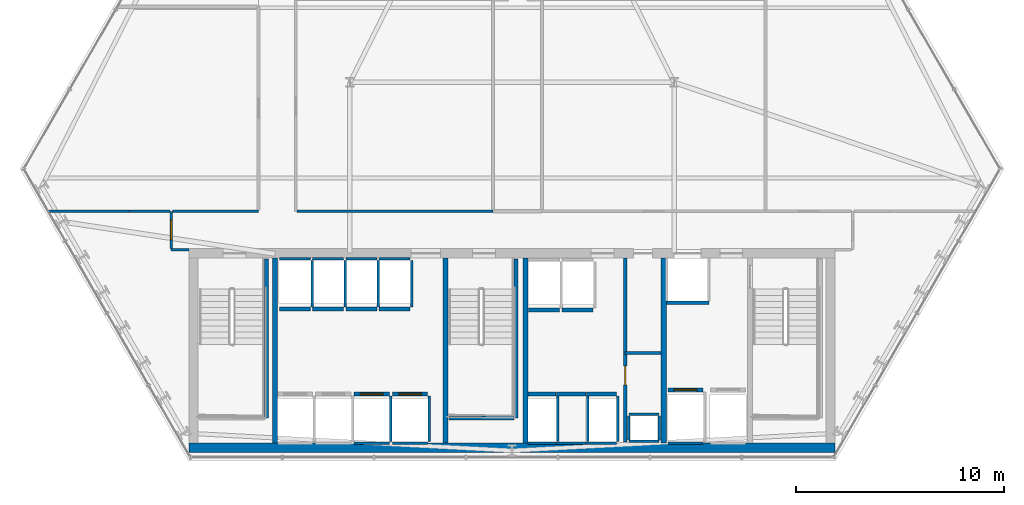
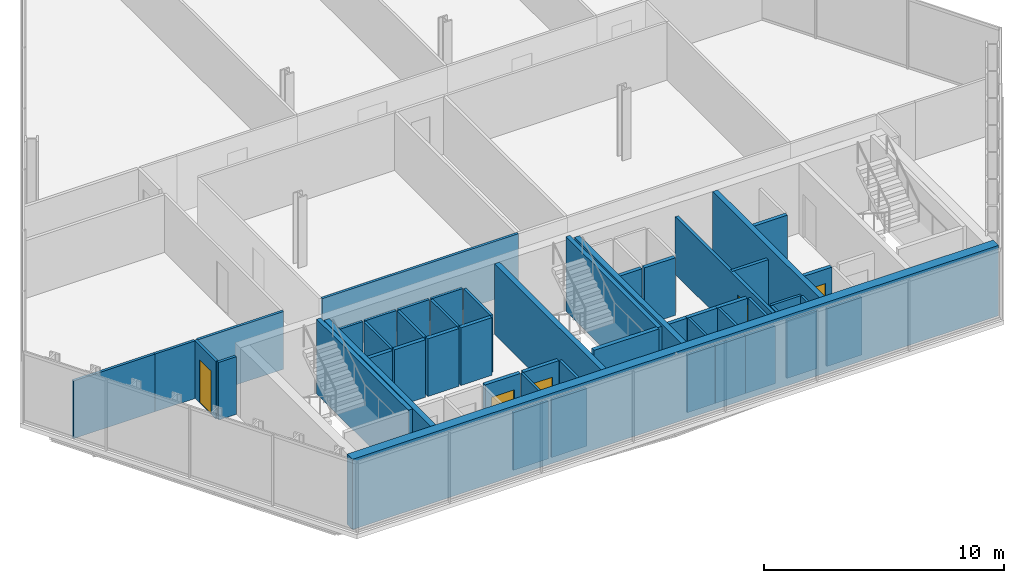
# One storey, part 27 of 32: 52 walls, 5 doors, 5 openings.
"""IFC4 building model written with IfcOpenShell, lengths in metres."""

from ifc_helpers import new_model, si_unit, direction, frame, frame_2d, origin, place, context, subcontext, project, spatial, rectangle, extrude, material, layer, layer_set, type_object, element, fill, save


model = new_model("IFC4")

# Units and contexts
model_context = context("Model", 3, precision=1e-05, world=origin(), true_north=direction((0.0, 1.0)))
body_context = subcontext(model_context, "Body", "Model", "MODEL_VIEW")
ifc_project = project(units=[si_unit("LENGTHUNIT", "METRE"), si_unit("AREAUNIT", "SQUARE_METRE"), si_unit("VOLUMEUNIT", "CUBIC_METRE"), si_unit("PLANEANGLEUNIT", "RADIAN"), si_unit("MASSUNIT", "GRAM", prefix="KILO")], contexts=[model_context])

# Site, building, storey
site_placement = place(None, origin())
site = spatial("IfcSite", under=ifc_project, at=site_placement, CompositionType="ELEMENT")
building_placement = place(site_placement, origin())
building = spatial("IfcBuilding", under=site, at=building_placement, Name="Ndaravel Arena Tower", CompositionType="ELEMENT")
storey_placement = place(building_placement, frame((0.0, 0.0, 51.199951171875)))
storey = spatial("IfcBuildingStorey", under=building, at=storey_placement, Name="L10", CompositionType="ELEMENT", Elevation=51.199951171875)

# Wall, opening, door
ifc_material_1 = material(Name="Gypsum", Category="gypsum")
ifc_layer_1 = layer(ifc_material_1, 0.14990234375)
ifc_layer_set_1 = layer_set([ifc_layer_1], Name="Gypsum")
wall_type_1 = type_object("IfcWallType", Name="WALL-COMP-150", PredefinedType="PARTITIONING", material=ifc_layer_set_1)
wall_1_placement = place(storey_placement, frame((47.449951171875, 5.89990234375, 0.0), z_axis=(0.0, 0.0, 1.0), x_axis=(0.0, 1.0, 0.0)))
wall_1 = element("IfcWall", 1, at=wall_1_placement, inside=storey, type_object=wall_type_1, Name="L10 Core Riser Bay Partition", PredefinedType="PARTITIONING", context=body_context, shape_type="SweptSolid", body=[
    extrude(rectangle(XDim=8.85009765625, YDim=0.14990234375, at=frame_2d((4.425048828125, 0.0))), origin(), (0.0, 0.0, 1.0), 2.932861328125),
])
opening_1_placement = place(wall_1_placement, frame((2.75, 0.0, 0.0)))
opening_1 = element("IfcOpeningElement", 2, at=opening_1_placement, cuts=wall_1, Name="Opening RD-01", PredefinedType="OPENING", context=body_context, shape_type="SweptSolid", body=[
    extrude(rectangle(XDim=0.89990234375, YDim=2.10009765625, at=frame_2d((0.449951171875, 1.050048828125))), frame((0.0, 0.074951171875, 0.0), z_axis=(0.0, -1.0, 0.0), x_axis=(1.0, 0.0, 0.0)), (0.0, 0.0, 1.0), 0.14990234375),
])
ifc_material_2 = material(Name="Steel S355", Category="steel")
door_type_1 = type_object("IfcDoorType", Name="DT-08-RISER-900", OperationType="SINGLE_SWING_LEFT", PredefinedType="DOOR", material=ifc_material_2)
door_1_placement = place(opening_1_placement, origin())
door_1 = element("IfcDoor", 3, at=door_1_placement, inside=storey, type_object=door_type_1, Name="L10 Electrical Riser Door", OperationType="SINGLE_SWING_RIGHT", OverallHeight=2.10009765625, OverallWidth=0.89990234375, PredefinedType="DOOR", context=body_context, shape_type="SweptSolid", body=[
    extrude(rectangle(XDim=0.89990234375, YDim=2.10009765625, at=frame_2d((0.449951171875, 1.050048828125))), frame((0.0, 0.02490234375, 0.0), z_axis=(0.0, -1.0, 0.0), x_axis=(1.0, 0.0, 0.0)), (0.0, 0.0, 1.0), 0.050048828125),
])
fill(opening_1, door_1)

# Walls
wall_2_placement = place(storey_placement, frame((47.449951171875, 10.179931640625, 0.0), z_axis=(0.0, 0.0, 1.0), x_axis=(1.0, 0.0, 0.0)))
element("IfcWall", 4, at=wall_2_placement, inside=storey, type_object=wall_type_1, Name="L10 Core Riser Divider 1", PredefinedType="PARTITIONING", context=body_context, shape_type="SweptSolid", body=[
    extrude(rectangle(XDim=1.72998046875, YDim=0.14990234375, at=frame_2d((0.864990234375, 0.0))), origin(), (0.0, 0.0, 1.0), 2.932861328125),
])
ifc_material_3 = material(Name="Concrete C60/75", Category="concrete")
ifc_layer_2 = layer(ifc_material_3, 0.25)
ifc_layer_set_2 = layer_set([ifc_layer_2], Name="Concrete C60/75")
wall_type_2 = type_object("IfcWallType", Name="WALL-CORE-250", PredefinedType="SOLIDWALL", material=ifc_layer_set_2)
for number, where, z_axis, x_axis, name in (
    (5, (30.60009765625, 5.85009765625, 0.0), (0.0, 0.0, 1.0), (0.0, 1.0, 0.0), "L10 Core Web Shear Wall 1"),
    (6, (38.800048828125, 5.85009765625, 0.0), (0.0, 0.0, 1.0), (0.0, 1.0, 0.0), "L10 Core Web Shear Wall 2"),
    (7, (42.64990234375, 5.85009765625, 0.0), (0.0, 0.0, 1.0), (0.0, 1.0, 0.0), "L10 Core Web Shear Wall 3"),
    (8, (49.300048828125, 5.85009765625, 0.0), (0.0, 0.0, 1.0), (0.0, 1.0, 0.0), "L10 Core Web Shear Wall 4"),
):
    element("IfcWall", number, at=place(storey_placement, frame(where, z_axis=z_axis, x_axis=x_axis)), inside=storey, type_object=wall_type_2, Name=name, PredefinedType="SOLIDWALL", context=body_context, shape_type="SweptSolid", body=[
        extrude(rectangle(XDim=8.89990234375, YDim=0.25, at=frame_2d((4.449951171875, 0.0))), origin(), (0.0, 0.0, 1.0), 3.580078125),
    ])
ifc_material_4 = material(Name="Concrete C60/75", Category="concrete")
ifc_layer_3 = layer(ifc_material_4, 0.449951171875)
ifc_layer_set_3 = layer_set([ifc_layer_3], Name="Concrete C60/75")
wall_type_3 = type_object("IfcWallType", Name="WALL-CORE-450", PredefinedType="SOLIDWALL", material=ifc_layer_set_3)
wall_3_placement = place(storey_placement, frame((26.449951171875, 5.625, 0.0), z_axis=(0.0, 0.0, 1.0), x_axis=(1.0, 0.0, 0.0)))
element("IfcWall", 9, at=wall_3_placement, inside=storey, type_object=wall_type_3, Name="L10 Core South Shear Wall", PredefinedType="SOLIDWALL", context=body_context, shape_type="SweptSolid", body=[
    extrude(rectangle(XDim=31.10009765625, YDim=0.449951171875, at=frame_2d((15.550048828125, 0.0))), origin(), (0.0, 0.0, 1.0), 3.580078125),
])
ifc_material_5 = material(Name="Gypsum", Category="gypsum")
ifc_layer_4 = layer(ifc_material_5, 0.125)
ifc_layer_set_4 = layer_set([ifc_layer_4], Name="Gypsum")
wall_type_4 = type_object("IfcWallType", Name="WALL-PART-125", PredefinedType="PARTITIONING", material=ifc_layer_set_4)
wall_4_placement = place(storey_placement, frame((26.449951171875, 15.14990234375, 0.0), z_axis=(0.0, 0.0, 1.0), x_axis=(-1.0, 0.0, 0.0)))
element("IfcWall", 10, at=wall_4_placement, inside=storey, type_object=wall_type_4, Name="L10 Interior Partition 003", PredefinedType="PARTITIONING", context=body_context, shape_type="SweptSolid", body=[
    extrude(rectangle(XDim=0.849853515625, YDim=0.125, at=frame_2d((0.4248046875, 0.0))), origin(), (0.0, 0.0, 1.0), 2.932861328125),
])

# Wall, opening, door
wall_5_placement = place(storey_placement, frame((25.60009765625, 15.215087890625, 0.0), z_axis=(0.0, 0.0, 1.0), x_axis=(0.0, 1.0, 0.0)))
wall_5 = element("IfcWall", 11, at=wall_5_placement, inside=storey, type_object=wall_type_4, Name="L10 Interior Partition 004", PredefinedType="PARTITIONING", context=body_context, shape_type="SweptSolid", body=[
    extrude(rectangle(XDim=1.784912109375, YDim=0.125, at=frame_2d((0.892578125, 0.0))), origin(), (0.0, 0.0, 1.0), 2.932861328125),
])
opening_2_placement = place(wall_5_placement, frame((0.41748046875, 0.0, 0.0)))
opening_2 = element("IfcOpeningElement", 12, at=opening_2_placement, cuts=wall_5, Name="Opening ID-01", PredefinedType="OPENING", context=body_context, shape_type="SweptSolid", body=[
    extrude(rectangle(XDim=0.949951171875, YDim=2.199951171875, at=frame_2d((0.47509765625, 1.10009765625))), frame((0.0, 0.0625, 0.0), z_axis=(0.0, -1.0, 0.0), x_axis=(1.0, 0.0, 0.0)), (0.0, 0.0, 1.0), 0.125),
])
ifc_material_6 = material(Name="Timber", Category="wood")
door_type_2 = type_object("IfcDoorType", Name="DT-03-OFFICE-950", OperationType="SINGLE_SWING_LEFT", PredefinedType="DOOR", material=ifc_material_6)
door_2_placement = place(opening_2_placement, origin())
door_2 = element("IfcDoor", 13, at=door_2_placement, inside=storey, type_object=door_type_2, Name="L10 Open Plan Workplace Door", OperationType="SINGLE_SWING_LEFT", OverallHeight=2.199951171875, OverallWidth=0.949951171875, PredefinedType="DOOR", context=body_context, shape_type="SweptSolid", body=[
    extrude(rectangle(XDim=0.949951171875, YDim=2.199951171875, at=frame_2d((0.47509765625, 1.10009765625))), frame((0.0, 0.02490234375, 0.0), z_axis=(0.0, -1.0, 0.0), x_axis=(1.0, 0.0, 0.0)), (0.0, 0.0, 1.0), 0.050048828125),
])
fill(opening_2, door_2)

# Walls
wall_6_placement = place(storey_placement, frame((25.6650390625, 17.0, 0.0), z_axis=(0.0, 0.0, 1.0), x_axis=(1.0, 0.0, 0.0)))
element("IfcWall", 14, at=wall_6_placement, inside=storey, type_object=wall_type_4, Name="L10 Interior Partition 005", PredefinedType="PARTITIONING", context=body_context, shape_type="SweptSolid", body=[
    extrude(rectangle(XDim=4.135009765625, YDim=0.125, at=frame_2d((2.0673828125, 0.0))), origin(), (0.0, 0.0, 1.0), 2.932861328125),
])
wall_7_placement = place(storey_placement, frame((31.6650390625, 17.0, 0.0), z_axis=(0.0, 0.0, 1.0), x_axis=(1.0, 0.0, 0.0)))
element("IfcWall", 15, at=wall_7_placement, inside=storey, type_object=wall_type_4, Name="L10 Interior Partition 018", PredefinedType="PARTITIONING", context=body_context, shape_type="SweptSolid", body=[
    extrude(rectangle(XDim=9.427001953125, YDim=0.125, at=frame_2d((4.71337890625, 0.0))), origin(), (0.0, 0.0, 1.0), 2.932861328125),
])
wall_8_placement = place(storey_placement, frame((19.684326171875, 17.0, 0.0), z_axis=(0.0, 0.0, 1.0), x_axis=(1.0, 0.0, 0.0)))
element("IfcWall", 16, at=wall_8_placement, inside=storey, type_object=wall_type_4, Name="L10 Interior Partition 022", PredefinedType="PARTITIONING", context=body_context, shape_type="SweptSolid", body=[
    extrude(rectangle(XDim=3.915771484375, YDim=0.125, at=frame_2d((1.9580078125, 0.0))), origin(), (0.0, 0.0, 1.0), 2.932861328125),
])
wall_9_placement = place(storey_placement, frame((23.60009765625, 17.0, 0.0), z_axis=(0.0, 0.0, 1.0), x_axis=(1.0, 0.0, 0.0)))
element("IfcWall", 17, at=wall_9_placement, inside=storey, type_object=wall_type_4, Name="L10 Interior Partition 023", PredefinedType="PARTITIONING", context=body_context, shape_type="SweptSolid", body=[
    extrude(rectangle(XDim=1.934814453125, YDim=0.125, at=frame_2d((0.96728515625, 0.0))), origin(), (0.0, 0.0, 1.0), 2.932861328125),
])
ifc_material_7 = material(Name="Concrete C40/50", Category="concrete")
ifc_layer_5 = layer(ifc_material_7, 0.1201171875)
ifc_layer_set_5 = layer_set([ifc_layer_5], Name="Concrete C40/50")
wall_type_5 = type_object("IfcWallType", Name="WALL-SHAFT-120", PredefinedType="SOLIDWALL", material=ifc_layer_set_5)
for number, where, z_axis, x_axis, name in (
    (18, (47.6201171875, 5.919921875, 0.0), (0.0, 0.0, 1.0), (1.0, 0.0, 0.0), "L10 MEP Riser Shaft S Wall"),
    (19, (47.6201171875, 7.219970703125, 0.0), (0.0, 0.0, 1.0), (1.0, 0.0, 0.0), "L10 MEP Riser Shaft N Wall"),
):
    element("IfcWall", number, at=place(storey_placement, frame(where, z_axis=z_axis, x_axis=x_axis)), inside=storey, type_object=wall_type_5, Name=name, PredefinedType="SOLIDWALL", context=body_context, shape_type="SweptSolid", body=[
        extrude(rectangle(XDim=1.4599609375, YDim=0.1201171875, at=frame_2d((0.72998046875, 0.0))), origin(), (0.0, 0.0, 1.0), 2.932861328125),
    ])
for number, where, z_axis, x_axis, name in (
    (20, (47.6201171875, 6.0, 0.0), (0.0, 0.0, 1.0), (0.0, 1.0, 0.0), "L10 MEP Riser Shaft W Wall"),
    (21, (49.080078125, 6.0, 0.0), (0.0, 0.0, 1.0), (0.0, 1.0, 0.0), "L10 MEP Riser Shaft E Wall"),
):
    element("IfcWall", number, at=place(storey_placement, frame(where, z_axis=z_axis, x_axis=x_axis)), inside=storey, type_object=wall_type_5, Name=name, PredefinedType="SOLIDWALL", context=body_context, shape_type="SweptSolid", body=[
        extrude(rectangle(XDim=1.139892578125, YDim=0.1201171875, at=frame_2d((0.56982421875, 0.0))), origin(), (0.0, 0.0, 1.0), 2.932861328125),
    ])
wall_10_placement = place(storey_placement, frame((34.405029296875, 5.840087890625, 0.0), z_axis=(0.0, 0.0, 1.0), x_axis=(1.0, 0.0, 0.0)))
element("IfcWall", 22, at=wall_10_placement, inside=storey, type_object=wall_type_5, Name="L10 PL-L3 Shaft Rear Wall", PredefinedType="SOLIDWALL", context=body_context, shape_type="SweptSolid", body=[
    extrude(rectangle(XDim=1.68994140625, YDim=0.1201171875, at=frame_2d((0.844970703125, 0.0))), origin(), (0.0, 0.0, 1.0), 2.932861328125),
])
wall_11_placement = place(storey_placement, frame((36.175048828125, 5.929931640625, 0.0), z_axis=(0.0, 0.0, 1.0), x_axis=(0.0, 1.0, 0.0)))
element("IfcWall", 23, at=wall_11_placement, inside=storey, type_object=wall_type_5, Name="L10 PL-L3 Shaft Side R Wall", PredefinedType="SOLIDWALL", context=body_context, shape_type="SweptSolid", body=[
    extrude(rectangle(XDim=2.18017578125, YDim=0.1201171875, at=frame_2d((1.090087890625, 0.0))), origin(), (0.0, 0.0, 1.0), 2.932861328125),
])
wall_12_placement = place(storey_placement, frame((36.2548828125, 5.840087890625, 0.0), z_axis=(0.0, 0.0, 1.0), x_axis=(1.0, 0.0, 0.0)))
element("IfcWall", 24, at=wall_12_placement, inside=storey, type_object=wall_type_5, Name="L10 PL-L4 Shaft Rear Wall", PredefinedType="SOLIDWALL", context=body_context, shape_type="SweptSolid", body=[
    extrude(rectangle(XDim=1.690185546875, YDim=0.1201171875, at=frame_2d((0.84521484375, 0.0))), origin(), (0.0, 0.0, 1.0), 2.932861328125),
])
wall_13_placement = place(storey_placement, frame((38.02490234375, 5.929931640625, 0.0), z_axis=(0.0, 0.0, 1.0), x_axis=(0.0, 1.0, 0.0)))
element("IfcWall", 25, at=wall_13_placement, inside=storey, type_object=wall_type_5, Name="L10 PL-L4 Shaft Side R Wall", PredefinedType="SOLIDWALL", context=body_context, shape_type="SweptSolid", body=[
    extrude(rectangle(XDim=2.18017578125, YDim=0.1201171875, at=frame_2d((1.090087890625, 0.0))), origin(), (0.0, 0.0, 1.0), 2.932861328125),
])
wall_14_placement = place(storey_placement, frame((30.804931640625, 14.7099609375, 0.0), z_axis=(0.0, 0.0, 1.0), x_axis=(1.0, 0.0, 0.0)))
element("IfcWall", 26, at=wall_14_placement, inside=storey, type_object=wall_type_5, Name="L10 PL-M1 Shaft Rear Wall", PredefinedType="SOLIDWALL", context=body_context, shape_type="SweptSolid", body=[
    extrude(rectangle(XDim=1.489990234375, YDim=0.1201171875, at=frame_2d((0.7451171875, 0.0))), origin(), (0.0, 0.0, 1.0), 2.932861328125),
])
wall_15_placement = place(storey_placement, frame((32.375, 12.389892578125, 0.0), z_axis=(0.0, 0.0, 1.0), x_axis=(0.0, 1.0, 0.0)))
element("IfcWall", 27, at=wall_15_placement, inside=storey, type_object=wall_type_5, Name="L10 PL-M1 Shaft Side R Wall", PredefinedType="SOLIDWALL", context=body_context, shape_type="SweptSolid", body=[
    extrude(rectangle(XDim=2.230224609375, YDim=0.1201171875, at=frame_2d((1.115234375, 0.0))), origin(), (0.0, 0.0, 1.0), 2.932861328125),
])
wall_16_placement = place(storey_placement, frame((32.405029296875, 14.7099609375, 0.0), z_axis=(0.0, 0.0, 1.0), x_axis=(1.0, 0.0, 0.0)))
element("IfcWall", 28, at=wall_16_placement, inside=storey, type_object=wall_type_5, Name="L10 PL-M2 Shaft Rear Wall", PredefinedType="SOLIDWALL", context=body_context, shape_type="SweptSolid", body=[
    extrude(rectangle(XDim=1.489990234375, YDim=0.1201171875, at=frame_2d((0.7451171875, 0.0))), origin(), (0.0, 0.0, 1.0), 2.932861328125),
])
wall_17_placement = place(storey_placement, frame((33.97509765625, 12.389892578125, 0.0), z_axis=(0.0, 0.0, 1.0), x_axis=(0.0, 1.0, 0.0)))
element("IfcWall", 29, at=wall_17_placement, inside=storey, type_object=wall_type_5, Name="L10 PL-M2 Shaft Side R Wall", PredefinedType="SOLIDWALL", context=body_context, shape_type="SweptSolid", body=[
    extrude(rectangle(XDim=2.230224609375, YDim=0.1201171875, at=frame_2d((1.115234375, 0.0))), origin(), (0.0, 0.0, 1.0), 2.932861328125),
])
wall_18_placement = place(storey_placement, frame((34.0048828125, 14.7099609375, 0.0), z_axis=(0.0, 0.0, 1.0), x_axis=(1.0, 0.0, 0.0)))
element("IfcWall", 30, at=wall_18_placement, inside=storey, type_object=wall_type_5, Name="L10 PL-M3 Shaft Rear Wall", PredefinedType="SOLIDWALL", context=body_context, shape_type="SweptSolid", body=[
    extrude(rectangle(XDim=1.490234375, YDim=0.1201171875, at=frame_2d((0.7451171875, 0.0))), origin(), (0.0, 0.0, 1.0), 2.932861328125),
])
wall_19_placement = place(storey_placement, frame((35.574951171875, 12.389892578125, 0.0), z_axis=(0.0, 0.0, 1.0), x_axis=(0.0, 1.0, 0.0)))
element("IfcWall", 31, at=wall_19_placement, inside=storey, type_object=wall_type_5, Name="L10 PL-M3 Shaft Side R Wall", PredefinedType="SOLIDWALL", context=body_context, shape_type="SweptSolid", body=[
    extrude(rectangle(XDim=2.230224609375, YDim=0.1201171875, at=frame_2d((1.115234375, 0.0))), origin(), (0.0, 0.0, 1.0), 2.932861328125),
])
wall_20_placement = place(storey_placement, frame((35.60498046875, 14.7099609375, 0.0), z_axis=(0.0, 0.0, 1.0), x_axis=(1.0, 0.0, 0.0)))
element("IfcWall", 32, at=wall_20_placement, inside=storey, type_object=wall_type_5, Name="L10 PL-M4 Shaft Rear Wall", PredefinedType="SOLIDWALL", context=body_context, shape_type="SweptSolid", body=[
    extrude(rectangle(XDim=1.489990234375, YDim=0.1201171875, at=frame_2d((0.7451171875, 0.0))), origin(), (0.0, 0.0, 1.0), 2.932861328125),
])
wall_21_placement = place(storey_placement, frame((37.175048828125, 12.389892578125, 0.0), z_axis=(0.0, 0.0, 1.0), x_axis=(0.0, 1.0, 0.0)))
element("IfcWall", 33, at=wall_21_placement, inside=storey, type_object=wall_type_5, Name="L10 PL-M4 Shaft Side R Wall", PredefinedType="SOLIDWALL", context=body_context, shape_type="SweptSolid", body=[
    extrude(rectangle(XDim=2.230224609375, YDim=0.1201171875, at=frame_2d((1.115234375, 0.0))), origin(), (0.0, 0.0, 1.0), 2.932861328125),
])
wall_22_placement = place(storey_placement, frame((42.780029296875, 5.840087890625, 0.0), z_axis=(0.0, 0.0, 1.0), x_axis=(1.0, 0.0, 0.0)))
element("IfcWall", 34, at=wall_22_placement, inside=storey, type_object=wall_type_5, Name="L10 PL-H1 Shaft Rear Wall", PredefinedType="SOLIDWALL", context=body_context, shape_type="SweptSolid", body=[
    extrude(rectangle(XDim=1.340087890625, YDim=0.1201171875, at=frame_2d((0.669921875, 0.0))), origin(), (0.0, 0.0, 1.0), 2.932861328125),
])
wall_23_placement = place(storey_placement, frame((44.199951171875, 5.929931640625, 0.0), z_axis=(0.0, 0.0, 1.0), x_axis=(0.0, 1.0, 0.0)))
element("IfcWall", 35, at=wall_23_placement, inside=storey, type_object=wall_type_5, Name="L10 PL-H1 Shaft Side R Wall", PredefinedType="SOLIDWALL", context=body_context, shape_type="SweptSolid", body=[
    extrude(rectangle(XDim=2.18017578125, YDim=0.1201171875, at=frame_2d((1.090087890625, 0.0))), origin(), (0.0, 0.0, 1.0), 2.932861328125),
])
wall_24_placement = place(storey_placement, frame((44.1298828125, 5.840087890625, 0.0), z_axis=(0.0, 0.0, 1.0), x_axis=(1.0, 0.0, 0.0)))
element("IfcWall", 36, at=wall_24_placement, inside=storey, type_object=wall_type_5, Name="L10 PL-H2 Shaft Rear Wall", PredefinedType="SOLIDWALL", context=body_context, shape_type="SweptSolid", body=[
    extrude(rectangle(XDim=1.440185546875, YDim=0.1201171875, at=frame_2d((0.72021484375, 0.0))), origin(), (0.0, 0.0, 1.0), 2.932861328125),
])
wall_25_placement = place(storey_placement, frame((45.64990234375, 5.929931640625, 0.0), z_axis=(0.0, 0.0, 1.0), x_axis=(0.0, 1.0, 0.0)))
element("IfcWall", 37, at=wall_25_placement, inside=storey, type_object=wall_type_5, Name="L10 PL-H2 Shaft Side R Wall", PredefinedType="SOLIDWALL", context=body_context, shape_type="SweptSolid", body=[
    extrude(rectangle(XDim=2.18017578125, YDim=0.1201171875, at=frame_2d((1.090087890625, 0.0))), origin(), (0.0, 0.0, 1.0), 2.932861328125),
])
wall_26_placement = place(storey_placement, frame((45.580078125, 5.840087890625, 0.0), z_axis=(0.0, 0.0, 1.0), x_axis=(1.0, 0.0, 0.0)))
element("IfcWall", 38, at=wall_26_placement, inside=storey, type_object=wall_type_5, Name="L10 PL-H3 Shaft Rear Wall", PredefinedType="SOLIDWALL", context=body_context, shape_type="SweptSolid", body=[
    extrude(rectangle(XDim=1.43994140625, YDim=0.1201171875, at=frame_2d((0.719970703125, 0.0))), origin(), (0.0, 0.0, 1.0), 2.932861328125),
])
wall_27_placement = place(storey_placement, frame((47.10009765625, 5.929931640625, 0.0), z_axis=(0.0, 0.0, 1.0), x_axis=(0.0, 1.0, 0.0)))
element("IfcWall", 39, at=wall_27_placement, inside=storey, type_object=wall_type_5, Name="L10 PL-H3 Shaft Side R Wall", PredefinedType="SOLIDWALL", context=body_context, shape_type="SweptSolid", body=[
    extrude(rectangle(XDim=2.18017578125, YDim=0.1201171875, at=frame_2d((1.090087890625, 0.0))), origin(), (0.0, 0.0, 1.0), 2.932861328125),
])
wall_28_placement = place(storey_placement, frame((49.5048828125, 5.840087890625, 0.0), z_axis=(0.0, 0.0, 1.0), x_axis=(1.0, 0.0, 0.0)))
element("IfcWall", 40, at=wall_28_placement, inside=storey, type_object=wall_type_5, Name="L10 FFL-1 Shaft Rear Wall", PredefinedType="SOLIDWALL", context=body_context, shape_type="SweptSolid", body=[
    extrude(rectangle(XDim=1.690185546875, YDim=0.1201171875, at=frame_2d((0.84521484375, 0.0))), origin(), (0.0, 0.0, 1.0), 2.932861328125),
])
ifc_material_8 = material(Name="Concrete C40/50", Category="concrete")
ifc_layer_6 = layer(ifc_material_8, 0.199951171875)
ifc_layer_set_6 = layer_set([ifc_layer_6], Name="Concrete C40/50")
wall_type_6 = type_object("IfcWallType", Name="WALL-SHAFT-200", PredefinedType="SOLIDWALL", material=ifc_layer_set_6)
for number, where, z_axis, x_axis, name in (
    (41, (30.18994140625, 14.699951171875, 0.0), (0.0, 0.0, 1.0), (0.0, -1.0, 0.0), "L10 ST-1 Structural Shaft Wall Right"),
    (42, (42.18994140625, 14.699951171875, 0.0), (0.0, 0.0, 1.0), (0.0, -1.0, 0.0), "L10 ST-2 Structural Shaft Wall Right"),
):
    element("IfcWall", number, at=place(storey_placement, frame(where, z_axis=z_axis, x_axis=x_axis)), inside=storey, type_object=wall_type_6, Name=name, PredefinedType="SOLIDWALL", context=body_context, shape_type="SweptSolid", body=[
        extrude(rectangle(XDim=7.64990234375, YDim=0.199951171875, at=frame_2d((3.824951171875, 0.0))), origin(), (0.0, 0.0, 1.0), 3.800048828125),
    ])
wall_29_placement = place(storey_placement, frame((38.969970703125, 7.050048828125, 0.0), z_axis=(0.0, 0.0, 1.0), x_axis=(1.0, 0.0, 0.0)))
element("IfcWall", 43, at=wall_29_placement, inside=storey, type_object=wall_type_6, Name="L10 ST-2 Structural Shaft Wall Far", PredefinedType="SOLIDWALL", context=body_context, shape_type="SweptSolid", body=[
    extrude(rectangle(XDim=3.114990234375, YDim=0.199951171875, at=frame_2d((1.5576171875, 0.0))), origin(), (0.0, 0.0, 1.0), 3.800048828125),
])

# Wall, opening, door
wall_30_placement = place(storey_placement, frame((34.405029296875, 8.199951171875, 0.0), z_axis=(0.0, 0.0, 1.0), x_axis=(1.0, 0.0, 0.0)))
wall_30 = element("IfcWall", 44, at=wall_30_placement, inside=storey, type_object=wall_type_6, Name="L10 PL-L3 Shaft Landing Wall", PredefinedType="SOLIDWALL", context=body_context, shape_type="SweptSolid", body=[
    extrude(rectangle(XDim=1.68994140625, YDim=0.179931640625, at=frame_2d((0.844970703125, 0.0))), origin(), (0.0, 0.0, 1.0), 2.932861328125),
])
opening_3_placement = place(wall_30_placement, frame((0.294921875, 0.0, 0.0)))
opening_3 = element("IfcOpeningElement", 45, at=opening_3_placement, cuts=wall_30, Name="Opening LD-01", PredefinedType="OPENING", context=body_context, shape_type="SweptSolid", body=[
    extrude(rectangle(XDim=1.10009765625, YDim=2.199951171875, at=frame_2d((0.550048828125, 1.10009765625))), frame((0.0, 0.08984375, 0.0), z_axis=(0.0, -1.0, 0.0), x_axis=(1.0, 0.0, 0.0)), (0.0, 0.0, 1.0), 0.179931640625),
])
ifc_material_9 = material(Name="Steel S355", Category="steel")
door_type_3 = type_object("IfcDoorType", Name="DT-06-LIFT-1100", OperationType="SLIDING_TO_LEFT", PredefinedType="DOOR", material=ifc_material_9)
door_3_placement = place(opening_3_placement, origin())
door_3 = element("IfcDoor", 46, at=door_3_placement, inside=storey, type_object=door_type_3, Name="L10 Lift PL-L3 Sliding Landing Door", OperationType="SLIDING_TO_LEFT", OverallHeight=2.199951171875, OverallWidth=1.10009765625, PredefinedType="DOOR", context=body_context, shape_type="SweptSolid", body=[
    extrude(rectangle(XDim=1.10009765625, YDim=2.199951171875, at=frame_2d((0.550048828125, 1.10009765625))), frame((0.0, 0.02490234375, 0.0), z_axis=(0.0, -1.0, 0.0), x_axis=(1.0, 0.0, 0.0)), (0.0, 0.0, 1.0), 0.050048828125),
])
fill(opening_3, door_3)

wall_31_placement = place(storey_placement, frame((36.2548828125, 8.199951171875, 0.0), z_axis=(0.0, 0.0, 1.0), x_axis=(1.0, 0.0, 0.0)))
wall_31 = element("IfcWall", 47, at=wall_31_placement, inside=storey, type_object=wall_type_6, Name="L10 PL-L4 Shaft Landing Wall", PredefinedType="SOLIDWALL", context=body_context, shape_type="SweptSolid", body=[
    extrude(rectangle(XDim=1.690185546875, YDim=0.179931640625, at=frame_2d((0.84521484375, 0.0))), origin(), (0.0, 0.0, 1.0), 2.932861328125),
])
opening_4_placement = place(wall_31_placement, frame((0.294921875, 0.0, 0.0)))
opening_4 = element("IfcOpeningElement", 48, at=opening_4_placement, cuts=wall_31, Name="Opening LD-01", PredefinedType="OPENING", context=body_context, shape_type="SweptSolid", body=[
    extrude(rectangle(XDim=1.10009765625, YDim=2.199951171875, at=frame_2d((0.550048828125, 1.10009765625))), frame((0.0, 0.08984375, 0.0), z_axis=(0.0, -1.0, 0.0), x_axis=(1.0, 0.0, 0.0)), (0.0, 0.0, 1.0), 0.179931640625),
])
door_4_placement = place(opening_4_placement, origin())
door_4 = element("IfcDoor", 49, at=door_4_placement, inside=storey, type_object=door_type_3, Name="L10 Lift PL-L4 Sliding Landing Door", OperationType="SLIDING_TO_LEFT", OverallHeight=2.199951171875, OverallWidth=1.10009765625, PredefinedType="DOOR", context=body_context, shape_type="SweptSolid", body=[
    extrude(rectangle(XDim=1.10009765625, YDim=2.199951171875, at=frame_2d((0.550048828125, 1.10009765625))), frame((0.0, 0.02490234375, 0.0), z_axis=(0.0, -1.0, 0.0), x_axis=(1.0, 0.0, 0.0)), (0.0, 0.0, 1.0), 0.050048828125),
])
fill(opening_4, door_4)

# Walls
for number, where, z_axis, x_axis, name in (
    (50, (30.804931640625, 12.300048828125, 0.0), (0.0, 0.0, 1.0), (1.0, 0.0, 0.0), "L10 PL-M1 Shaft Landing Wall"),
    (51, (32.405029296875, 12.300048828125, 0.0), (0.0, 0.0, 1.0), (1.0, 0.0, 0.0), "L10 PL-M2 Shaft Landing Wall"),
):
    element("IfcWall", number, at=place(storey_placement, frame(where, z_axis=z_axis, x_axis=x_axis)), inside=storey, type_object=wall_type_6, Name=name, PredefinedType="SOLIDWALL", context=body_context, shape_type="SweptSolid", body=[
        extrude(rectangle(XDim=1.489990234375, YDim=0.179931640625, at=frame_2d((0.7451171875, 0.0))), origin(), (0.0, 0.0, 1.0), 2.932861328125),
    ])
wall_32_placement = place(storey_placement, frame((34.0048828125, 12.300048828125, 0.0), z_axis=(0.0, 0.0, 1.0), x_axis=(1.0, 0.0, 0.0)))
element("IfcWall", 52, at=wall_32_placement, inside=storey, type_object=wall_type_6, Name="L10 PL-M3 Shaft Landing Wall", PredefinedType="SOLIDWALL", context=body_context, shape_type="SweptSolid", body=[
    extrude(rectangle(XDim=1.490234375, YDim=0.179931640625, at=frame_2d((0.7451171875, 0.0))), origin(), (0.0, 0.0, 1.0), 2.932861328125),
])
wall_33_placement = place(storey_placement, frame((35.60498046875, 12.300048828125, 0.0), z_axis=(0.0, 0.0, 1.0), x_axis=(1.0, 0.0, 0.0)))
element("IfcWall", 53, at=wall_33_placement, inside=storey, type_object=wall_type_6, Name="L10 PL-M4 Shaft Landing Wall", PredefinedType="SOLIDWALL", context=body_context, shape_type="SweptSolid", body=[
    extrude(rectangle(XDim=1.489990234375, YDim=0.179931640625, at=frame_2d((0.7451171875, 0.0))), origin(), (0.0, 0.0, 1.0), 2.932861328125),
])
wall_34_placement = place(storey_placement, frame((42.780029296875, 8.199951171875, 0.0), z_axis=(0.0, 0.0, 1.0), x_axis=(1.0, 0.0, 0.0)))
element("IfcWall", 54, at=wall_34_placement, inside=storey, type_object=wall_type_6, Name="L10 PL-H1 Shaft Landing Wall", PredefinedType="SOLIDWALL", context=body_context, shape_type="SweptSolid", body=[
    extrude(rectangle(XDim=1.340087890625, YDim=0.179931640625, at=frame_2d((0.669921875, 0.0))), origin(), (0.0, 0.0, 1.0), 2.932861328125),
])
wall_35_placement = place(storey_placement, frame((44.1298828125, 8.199951171875, 0.0), z_axis=(0.0, 0.0, 1.0), x_axis=(1.0, 0.0, 0.0)))
element("IfcWall", 55, at=wall_35_placement, inside=storey, type_object=wall_type_6, Name="L10 PL-H2 Shaft Landing Wall", PredefinedType="SOLIDWALL", context=body_context, shape_type="SweptSolid", body=[
    extrude(rectangle(XDim=1.440185546875, YDim=0.179931640625, at=frame_2d((0.72021484375, 0.0))), origin(), (0.0, 0.0, 1.0), 2.932861328125),
])
wall_36_placement = place(storey_placement, frame((45.580078125, 8.199951171875, 0.0), z_axis=(0.0, 0.0, 1.0), x_axis=(1.0, 0.0, 0.0)))
element("IfcWall", 56, at=wall_36_placement, inside=storey, type_object=wall_type_6, Name="L10 PL-H3 Shaft Landing Wall", PredefinedType="SOLIDWALL", context=body_context, shape_type="SweptSolid", body=[
    extrude(rectangle(XDim=1.43994140625, YDim=0.179931640625, at=frame_2d((0.719970703125, 0.0))), origin(), (0.0, 0.0, 1.0), 2.932861328125),
])
for number, where, z_axis, x_axis, name in (
    (57, (42.804931640625, 12.25, 0.0), (0.0, 0.0, 1.0), (1.0, 0.0, 0.0), "L10 PL-OBS1 Shaft Landing Wall"),
    (58, (44.405029296875, 12.25, 0.0), (0.0, 0.0, 1.0), (1.0, 0.0, 0.0), "L10 PL-OBS2 Shaft Landing Wall"),
):
    element("IfcWall", number, at=place(storey_placement, frame(where, z_axis=z_axis, x_axis=x_axis)), inside=storey, type_object=wall_type_6, Name=name, PredefinedType="SOLIDWALL", context=body_context, shape_type="SweptSolid", body=[
        extrude(rectangle(XDim=1.489990234375, YDim=0.179931640625, at=frame_2d((0.7451171875, 0.0))), origin(), (0.0, 0.0, 1.0), 2.932861328125),
    ])

# Wall, opening, door
wall_37_placement = place(storey_placement, frame((49.5048828125, 8.39990234375, 0.0), z_axis=(0.0, 0.0, 1.0), x_axis=(1.0, 0.0, 0.0)))
wall_37 = element("IfcWall", 59, at=wall_37_placement, inside=storey, type_object=wall_type_6, Name="L10 FFL-1 Shaft Landing Wall", PredefinedType="SOLIDWALL", context=body_context, shape_type="SweptSolid", body=[
    extrude(rectangle(XDim=1.690185546875, YDim=0.179931640625, at=frame_2d((0.84521484375, 0.0))), origin(), (0.0, 0.0, 1.0), 2.932861328125),
])
opening_5_placement = place(wall_37_placement, frame((0.294921875, 0.0, 0.0)))
opening_5 = element("IfcOpeningElement", 60, at=opening_5_placement, cuts=wall_37, Name="Opening LD-01", PredefinedType="OPENING", context=body_context, shape_type="SweptSolid", body=[
    extrude(rectangle(XDim=1.10009765625, YDim=2.199951171875, at=frame_2d((0.550048828125, 1.10009765625))), frame((0.0, 0.08984375, 0.0), z_axis=(0.0, -1.0, 0.0), x_axis=(1.0, 0.0, 0.0)), (0.0, 0.0, 1.0), 0.179931640625),
])
door_5_placement = place(opening_5_placement, origin())
door_5 = element("IfcDoor", 61, at=door_5_placement, inside=storey, type_object=door_type_3, Name="L10 Lift FFL-1 Sliding Landing Door", OperationType="SLIDING_TO_LEFT", OverallHeight=2.199951171875, OverallWidth=1.10009765625, PredefinedType="DOOR", context=body_context, shape_type="SweptSolid", body=[
    extrude(rectangle(XDim=1.10009765625, YDim=2.199951171875, at=frame_2d((0.550048828125, 1.10009765625))), frame((0.0, 0.02490234375, 0.0), z_axis=(0.0, -1.0, 0.0), x_axis=(1.0, 0.0, 0.0)), (0.0, 0.0, 1.0), 0.050048828125),
])
fill(opening_5, door_5)

# Wall
wall_38_placement = place(storey_placement, frame((49.43994140625, 12.594970703125, 0.0), z_axis=(0.0, 0.0, 1.0), x_axis=(1.0, 0.0, 0.0)))
element("IfcWall", 62, at=wall_38_placement, inside=storey, type_object=wall_type_6, Name="L10 SVL-1 Shaft South Wall", PredefinedType="SOLIDWALL", context=body_context, shape_type="SweptSolid", body=[
    extrude(rectangle(XDim=2.0400390625, YDim=0.179931640625, at=frame_2d((1.02001953125, 0.0))), origin(), (0.0, 0.0, 1.0), 2.932861328125),
])

save(model, "model.ifc")
